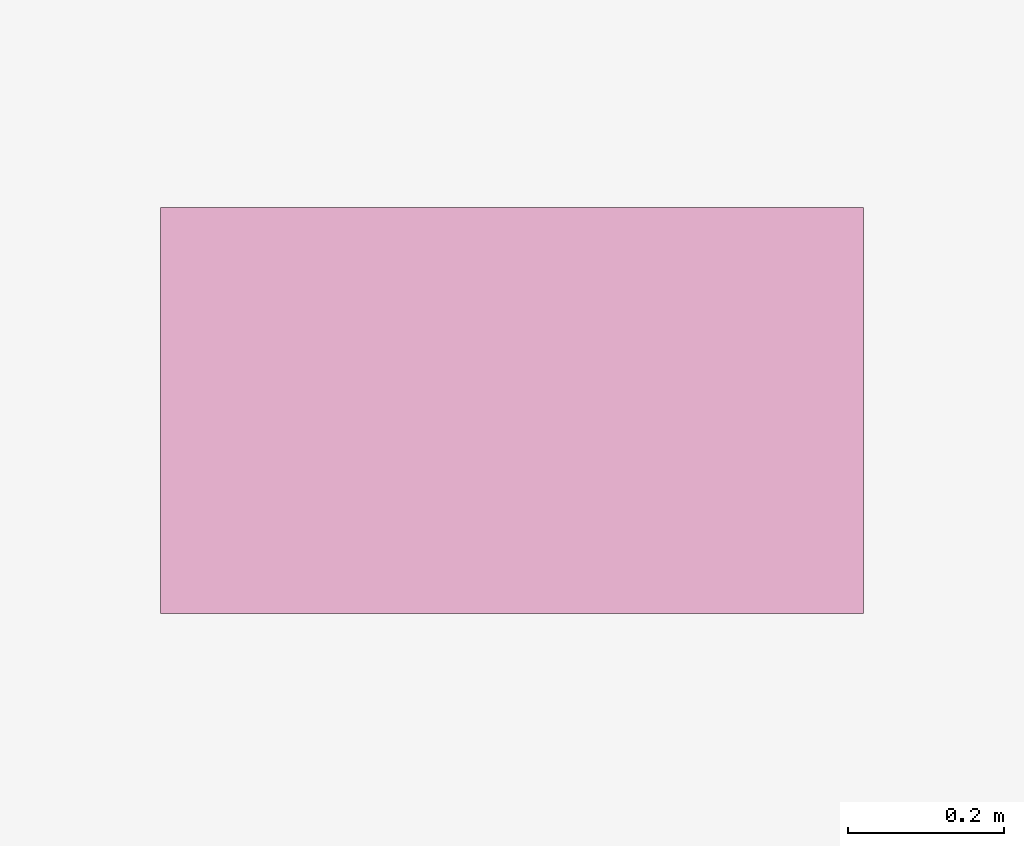
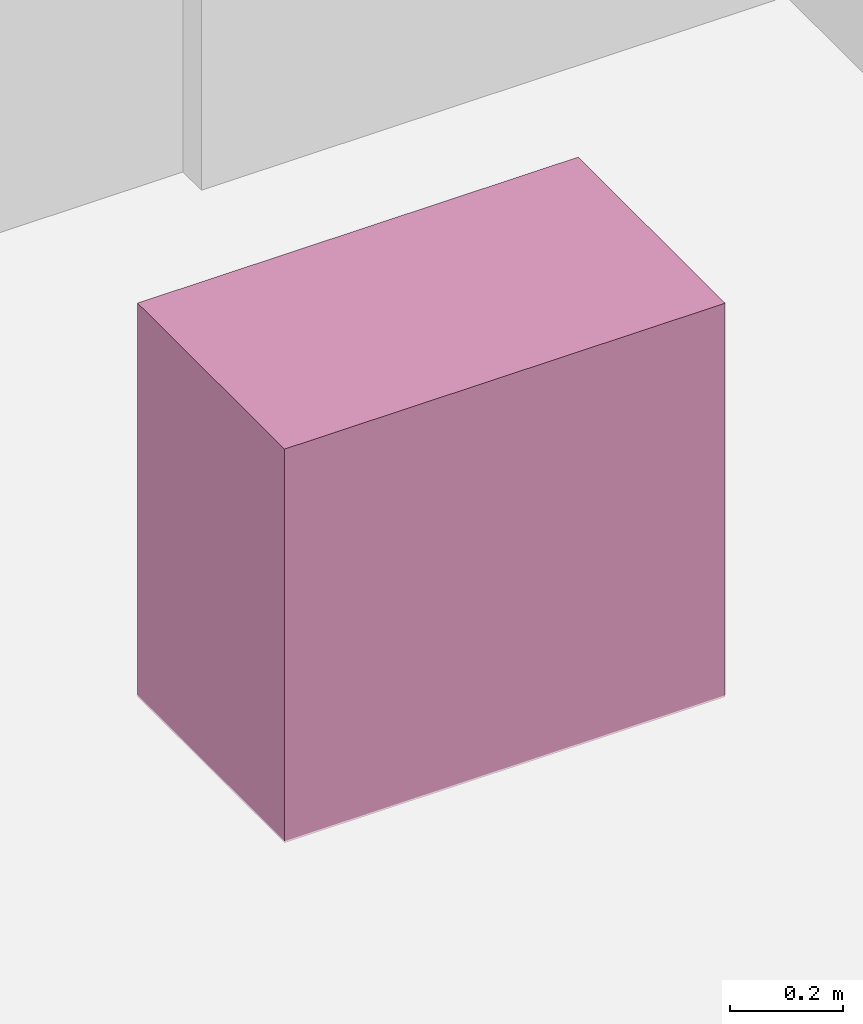
# One storey, part 28 of 28: 1 furnishing.
"""IFC4 building model written with IfcOpenShell, lengths in metres."""

from ifc_helpers import new_model, si_unit, direction, frame, origin, origin_2d, place, context, subcontext, project, spatial, rectangle, extrude, material, type_object, element, save


model = new_model("IFC4")

# Units and contexts
model_context = context("Model", 3, precision=1e-05, world=origin(), true_north=direction((0.0, 1.0)))
body_context = subcontext(model_context, "Body", "Model", "MODEL_VIEW")
ifc_project = project(units=[si_unit("LENGTHUNIT", "METRE"), si_unit("AREAUNIT", "SQUARE_METRE"), si_unit("VOLUMEUNIT", "CUBIC_METRE"), si_unit("PLANEANGLEUNIT", "RADIAN"), si_unit("MASSUNIT", "GRAM", prefix="KILO")], contexts=[model_context])

# Site, building, storey
site_placement = place(None, origin())
site = spatial("IfcSite", under=ifc_project, at=site_placement, CompositionType="ELEMENT")
building_placement = place(site_placement, origin())
building = spatial("IfcBuilding", under=site, at=building_placement, Name="Vorneva Point Tower", CompositionType="ELEMENT")
storey_placement = place(building_placement, frame((0.0, 0.0, 164.10009765625)))
storey = spatial("IfcBuildingStorey", under=building, at=storey_placement, Name="L44", CompositionType="ELEMENT", Elevation=164.10009765625)

# Furnishing
ifc_material = material(Name="Vitreous china and granite top", Category="masonry")
furniture_type = type_object("IfcFurnitureType", Name="FUR-VAN-900", AssemblyPlace="NOTDEFINED", PredefinedType="NOTDEFINED", material=ifc_material)
furnishing_placement = place(storey_placement, frame((37.97509765625, 32.1201171875, -0.005126953125), z_axis=(0.0, 0.0, 1.0), x_axis=(1.0, 0.0, 0.0)))
element("IfcFurnishingElement", 1, at=furnishing_placement, inside=storey, type_object=furniture_type, Name="L44 Accessible WC Vanity Unit", ObjectType="L44 Accessible WC Vanity Unit", context=body_context, shape_type="SweptSolid", body=[
    extrude(rectangle(XDim=0.89990234375, YDim=0.52001953125, at=origin_2d()), origin(), (0.0, 0.0, 1.0), 0.85009765625),
])

save(model, "model.ifc")
